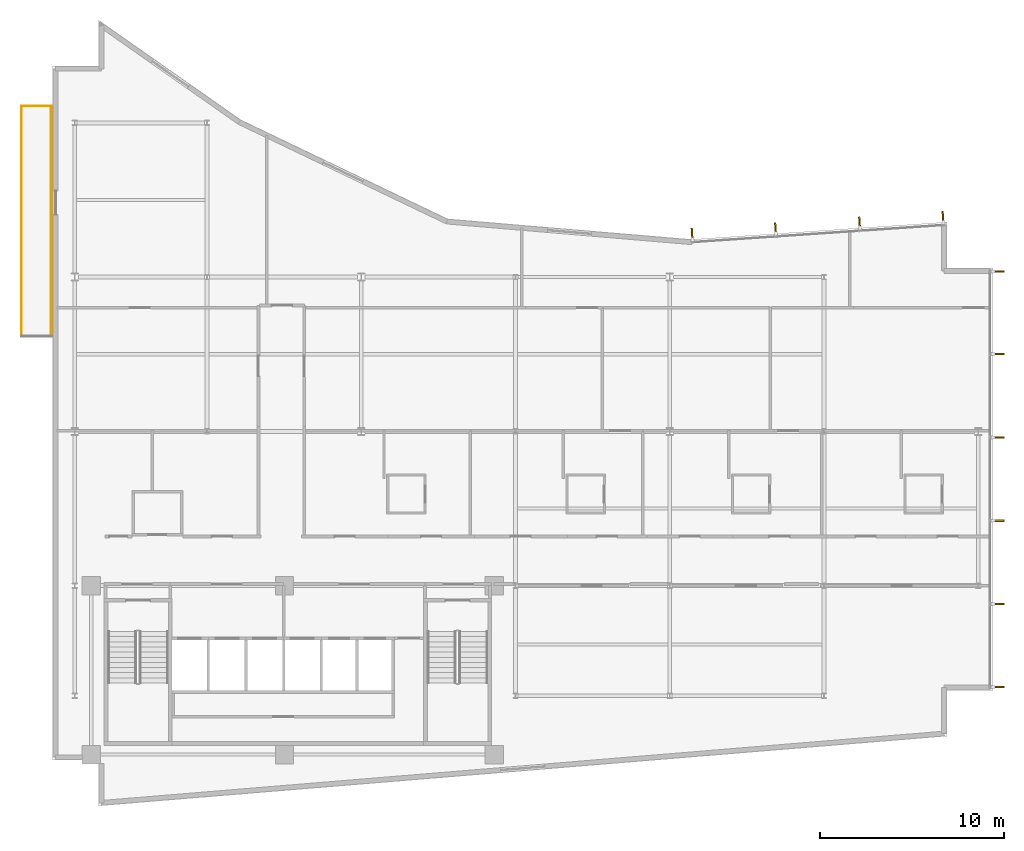
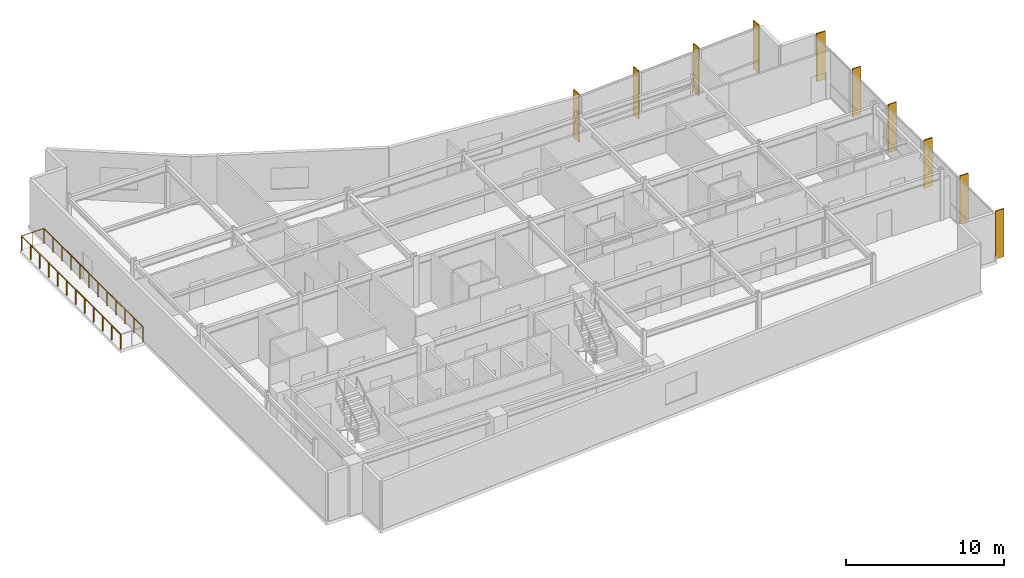
# One storey, part 16 of 17: 10 shading devices, 3 railings.
"""IFC4 building model written with IfcOpenShell, lengths in metres."""

from ifc_helpers import new_model, si_unit, direction, frame, origin, origin_2d, place, context, subcontext, project, spatial, rectangle, circle, extrude, material, layer, layer_set, type_object, element, save


model = new_model("IFC4")

# Units and contexts
model_context = context("Model", 3, precision=1e-05, world=origin(), true_north=direction((0.0, 1.0)))
body_context = subcontext(model_context, "Body", "Model", "MODEL_VIEW")
ifc_project = project(units=[si_unit("LENGTHUNIT", "METRE"), si_unit("AREAUNIT", "SQUARE_METRE"), si_unit("VOLUMEUNIT", "CUBIC_METRE"), si_unit("PLANEANGLEUNIT", "RADIAN"), si_unit("MASSUNIT", "GRAM", prefix="KILO")], contexts=[model_context])

# Site, building, storey
site_placement = place(None, origin())
site = spatial("IfcSite", under=ifc_project, at=site_placement, CompositionType="ELEMENT")
building_placement = place(site_placement, origin())
building = spatial("IfcBuilding", under=site, at=building_placement, Name="Varnakote Quay Hospital", CompositionType="ELEMENT")
storey_placement = place(building_placement, frame((0.0, 0.0, 203.949951171875)))
storey = spatial("IfcBuildingStorey", under=building, at=storey_placement, Name="L50", CompositionType="ELEMENT", Elevation=203.949951171875)

# Railings
ifc_material_1 = material(Name="Anodised aluminium 6063-T6 Bronze", Category="aluminium")
railing_type = type_object("IfcRailingType", Name="RLG-EXT-GUARD-1150", PredefinedType="GUARDRAIL", material=ifc_material_1)
railing_1_placement = place(storey_placement, frame((-1.699951171875, 25.580078125, 0.0)))
element("IfcRailing", 1, at=railing_1_placement, inside=storey, type_object=railing_type, Name="L50 Zigzag Prow Healing Terrace Safety Guard", PredefinedType="GUARDRAIL", context=body_context, shape_type="SweptSolid", body=[
    extrude(circle(Radius=0.02392578125, at=origin_2d()), frame((0.0, 0.0, 1.1259765625), z_axis=(0.0, 1.0, 0.0), x_axis=(-1.0, 0.0, 0.0)), (0.0, 0.0, 1.0), 12.5400390625),
    extrude(circle(Radius=0.02099609375, at=origin_2d()), origin(), (0.0, 0.0, 1.0), 1.101806640625),
    extrude(circle(Radius=0.02099609375, at=origin_2d()), frame((0.0, 1.139892578125, 0.0)), (0.0, 0.0, 1.0), 1.101806640625),
    extrude(circle(Radius=0.02099609375, at=origin_2d()), frame((0.0, 2.280029296875, 0.0)), (0.0, 0.0, 1.0), 1.101806640625),
    extrude(circle(Radius=0.02099609375, at=origin_2d()), frame((0.0, 3.419921875, 0.0)), (0.0, 0.0, 1.0), 1.101806640625),
    extrude(circle(Radius=0.02099609375, at=origin_2d()), frame((0.0, 4.56005859375, 0.0)), (0.0, 0.0, 1.0), 1.101806640625),
    extrude(circle(Radius=0.02099609375, at=origin_2d()), frame((0.0, 5.699951171875, 0.0)), (0.0, 0.0, 1.0), 1.101806640625),
    extrude(circle(Radius=0.02099609375, at=origin_2d()), frame((0.0, 6.840087890625, 0.0)), (0.0, 0.0, 1.0), 1.101806640625),
    extrude(circle(Radius=0.02099609375, at=origin_2d()), frame((0.0, 7.97998046875, 0.0)), (0.0, 0.0, 1.0), 1.101806640625),
    extrude(circle(Radius=0.02099609375, at=origin_2d()), frame((0.0, 9.1201171875, 0.0)), (0.0, 0.0, 1.0), 1.101806640625),
    extrude(circle(Radius=0.02099609375, at=origin_2d()), frame((0.0, 10.260009765625, 0.0)), (0.0, 0.0, 1.0), 1.101806640625),
    extrude(circle(Radius=0.02099609375, at=origin_2d()), frame((0.0, 11.400146484375, 0.0)), (0.0, 0.0, 1.0), 1.101806640625),
    extrude(circle(Radius=0.02099609375, at=origin_2d()), frame((0.0, 12.5400390625, 0.0)), (0.0, 0.0, 1.0), 1.101806640625),
])
railing_2_placement = place(storey_placement, frame((-1.699951171875, 38.1201171875, 0.0)))
element("IfcRailing", 2, at=railing_2_placement, inside=storey, type_object=railing_type, Name="L50 Zigzag Prow Healing Terrace Safety Guard", PredefinedType="GUARDRAIL", context=body_context, shape_type="SweptSolid", body=[
    extrude(circle(Radius=0.02392578125, at=origin_2d()), frame((0.0, 0.0, 1.1259765625), z_axis=(1.0, 0.0, 0.0), x_axis=(0.0, 1.0, 0.0)), (0.0, 0.0, 1.0), 1.6240234375),
    extrude(circle(Radius=0.02099609375, at=origin_2d()), origin(), (0.0, 0.0, 1.0), 1.101806640625),
    extrude(circle(Radius=0.02099609375, at=origin_2d()), frame((0.81201171875, 0.0, 0.0)), (0.0, 0.0, 1.0), 1.101806640625),
    extrude(circle(Radius=0.02099609375, at=origin_2d()), frame((1.6240234375, 0.0, 0.0)), (0.0, 0.0, 1.0), 1.101806640625),
])
railing_3_placement = place(storey_placement, frame((-0.075927734375, 38.1201171875, 0.0)))
element("IfcRailing", 3, at=railing_3_placement, inside=storey, type_object=railing_type, Name="L50 Zigzag Prow Healing Terrace Safety Guard", PredefinedType="GUARDRAIL", context=body_context, shape_type="SweptSolid", body=[
    extrude(circle(Radius=0.02392578125, at=origin_2d()), frame((0.0, 0.0, 1.1259765625), z_axis=(0.0, -1.0, 0.0), x_axis=(1.0, 0.0, 0.0)), (0.0, 0.0, 1.0), 12.5400390625),
    extrude(circle(Radius=0.02099609375, at=origin_2d()), origin(), (0.0, 0.0, 1.0), 1.101806640625),
    extrude(circle(Radius=0.02099609375, at=origin_2d()), frame((0.0, -1.139892578125, 0.0)), (0.0, 0.0, 1.0), 1.101806640625),
    extrude(circle(Radius=0.02099609375, at=origin_2d()), frame((0.0, -2.280029296875, 0.0)), (0.0, 0.0, 1.0), 1.101806640625),
    extrude(circle(Radius=0.02099609375, at=origin_2d()), frame((0.0, -3.419921875, 0.0)), (0.0, 0.0, 1.0), 1.101806640625),
    extrude(circle(Radius=0.02099609375, at=origin_2d()), frame((0.0, -4.56005859375, 0.0)), (0.0, 0.0, 1.0), 1.101806640625),
    extrude(circle(Radius=0.02099609375, at=origin_2d()), frame((0.0, -5.699951171875, 0.0)), (0.0, 0.0, 1.0), 1.101806640625),
    extrude(circle(Radius=0.02099609375, at=origin_2d()), frame((0.0, -6.840087890625, 0.0)), (0.0, 0.0, 1.0), 1.101806640625),
    extrude(circle(Radius=0.02099609375, at=origin_2d()), frame((0.0, -7.97998046875, 0.0)), (0.0, 0.0, 1.0), 1.101806640625),
    extrude(circle(Radius=0.02099609375, at=origin_2d()), frame((0.0, -9.1201171875, 0.0)), (0.0, 0.0, 1.0), 1.101806640625),
    extrude(circle(Radius=0.02099609375, at=origin_2d()), frame((0.0, -10.260009765625, 0.0)), (0.0, 0.0, 1.0), 1.101806640625),
    extrude(circle(Radius=0.02099609375, at=origin_2d()), frame((0.0, -11.400146484375, 0.0)), (0.0, 0.0, 1.0), 1.101806640625),
    extrude(circle(Radius=0.02099609375, at=origin_2d()), frame((0.0, -12.5400390625, 0.0)), (0.0, 0.0, 1.0), 1.101806640625),
])

# Shading devices
ifc_material_2 = material(Name="Anodised aluminium 6063-T6 Bronze", Category="aluminium")
ifc_layer = layer(ifc_material_2, 0.0849609375)
ifc_layer_set = layer_set([ifc_layer], Name="Anodised aluminium 6063-T6 Bronze")
shading_device_type = type_object("IfcShadingDeviceType", Name="SHD-BRONZE-FIN-620", PredefinedType="USERDEFINED", material=ifc_layer_set)
for number, where, z_axis, x_axis, name in (
    (4, (51.489990234375, 6.492431640625, 0.0), (0.0, 0.0, 1.0), (-1.0, 0.0, 0.0), "L50 Anodised Bronze Vertical Shading FIN"),
    (5, (51.489990234375, 10.99609375, 0.0), (0.0, 0.0, 1.0), (-1.0, 0.0, 0.0), "L50 Anodised Bronze Vertical Shading FIN"),
    (6, (51.489990234375, 15.531982421875, 0.0), (0.0, 0.0, 1.0), (-1.0, 0.0, 0.0), "L50 Anodised Bronze Vertical Shading FIN"),
    (7, (51.489990234375, 20.068115234375, 0.0), (0.0, 0.0, 1.0), (-1.0, 0.0, 0.0), "L50 Anodised Bronze Vertical Shading FIN"),
    (8, (51.489990234375, 24.60400390625, 0.0), (0.0, 0.0, 1.0), (-1.0, 0.0, 0.0), "L50 Anodised Bronze Vertical Shading FIN"),
    (9, (51.489990234375, 29.107421875, 0.0), (0.0, 0.0, 1.0), (-1.0, 0.0, 0.0), "L50 Anodised Bronze Vertical Shading FIN"),
    (10, (48.47705078125, 32.07568359375, 0.0), (0.0, 0.0, 1.0), (0.067841160875, -0.997696134548, 0.0), "L50 Anodised Bronze Vertical Shading FIN"),
    (11, (43.934326171875, 31.7666015625, 0.0), (0.0, 0.0, 1.0), (0.067841160875, -0.997696134548, 0.0), "L50 Anodised Bronze Vertical Shading FIN"),
    (12, (39.359375, 31.45556640625, 0.0), (0.0, 0.0, 1.0), (0.067841160875, -0.997696134548, 0.0), "L50 Anodised Bronze Vertical Shading FIN"),
    (13, (34.816650390625, 31.146728515625, 0.0), (0.0, 0.0, 1.0), (0.067841160875, -0.997696134548, 0.0), "L50 Anodised Bronze Vertical Shading FIN"),
):
    element("IfcShadingDevice", number, at=place(storey_placement, frame(where, z_axis=z_axis, x_axis=x_axis)), inside=storey, type_object=shading_device_type, Name=name, ObjectType="FIN", PredefinedType="USERDEFINED", context=body_context, shape_type="SweptSolid", body=[
        extrude(rectangle(XDim=0.6201171875, YDim=0.0849609375, at=origin_2d()), origin(), (0.0, 0.0, 1.0), 3.7099609375),
    ])

save(model, "model.ifc")
